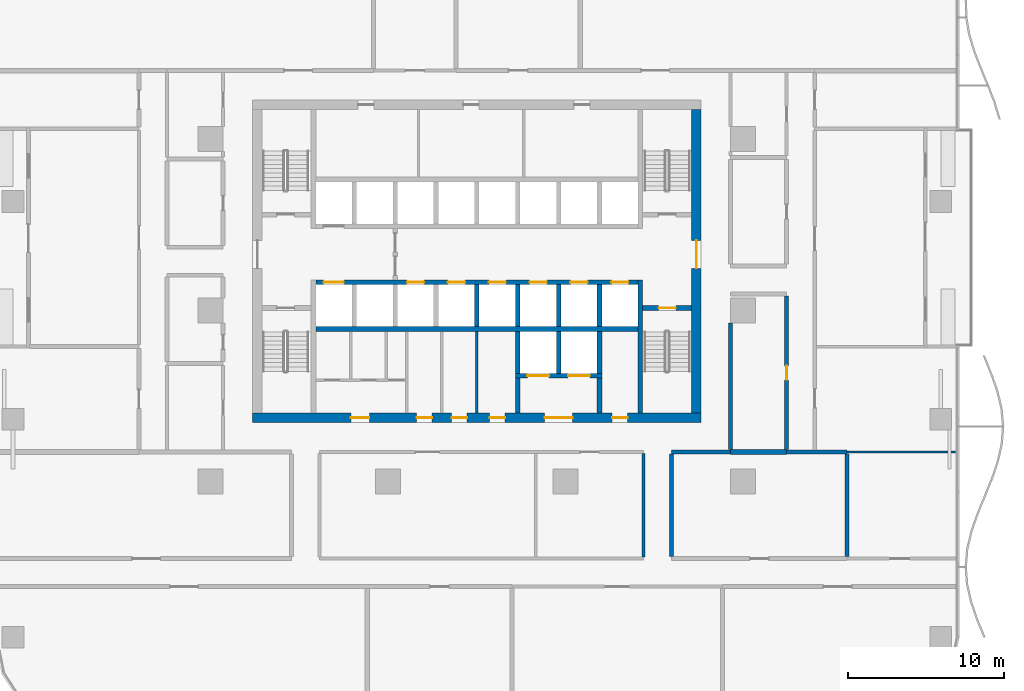
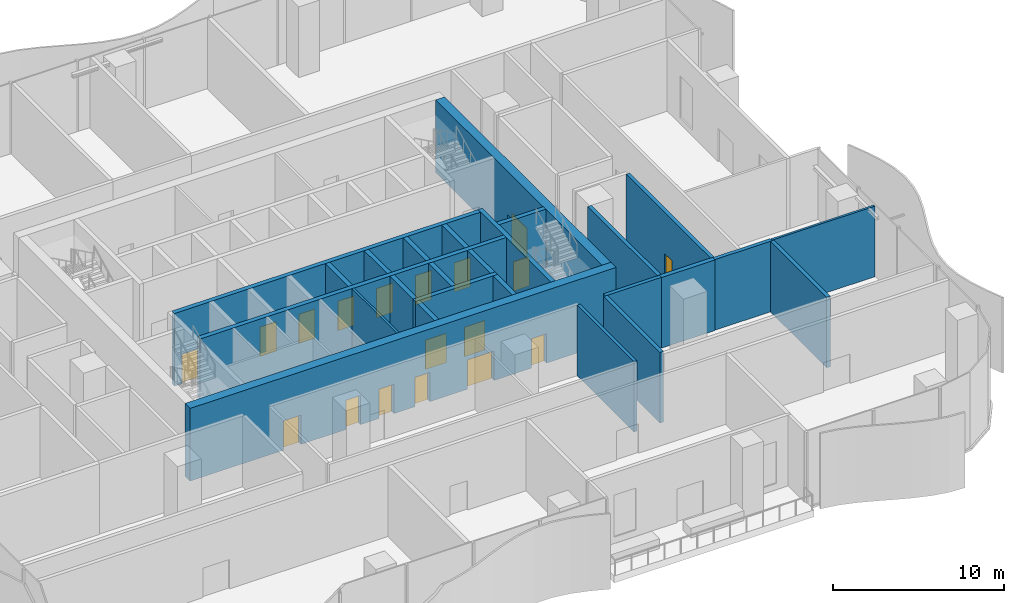
# One storey, part 9 of 20: 26 walls, 18 doors, 18 openings.
"""IFC4 building model written with IfcOpenShell, lengths in metres."""

from ifc_helpers import new_model, si_unit, direction, frame, frame_2d, origin, place, context, subcontext, project, spatial, rectangle, extrude, material, layer, layer_set, type_object, element, fill, save


model = new_model("IFC4")

# Units and contexts
model_context = context("Model", 3, precision=1e-05, world=origin(), true_north=direction((0.0, 1.0)))
body_context = subcontext(model_context, "Body", "Model", "MODEL_VIEW")
ifc_project = project(units=[si_unit("LENGTHUNIT", "METRE"), si_unit("AREAUNIT", "SQUARE_METRE"), si_unit("VOLUMEUNIT", "CUBIC_METRE"), si_unit("PLANEANGLEUNIT", "RADIAN"), si_unit("MASSUNIT", "GRAM", prefix="KILO")], contexts=[model_context])

# Site, building, storey
site_placement = place(None, origin())
site = spatial("IfcSite", under=ifc_project, at=site_placement, CompositionType="ELEMENT")
building_placement = place(site_placement, origin())
building = spatial("IfcBuilding", under=site, at=building_placement, Name="Mopane Tessera Tower", CompositionType="ELEMENT")
storey_placement = place(building_placement, frame((0.0, 0.0, 25.5)))
storey = spatial("IfcBuildingStorey", under=building, at=storey_placement, Name="L04", CompositionType="ELEMENT", Elevation=25.5)

# Wall
ifc_material_1 = material(Name="Fire-rated gypsum board partition")
ifc_layer_1 = layer(ifc_material_1, 0.14990234375)
ifc_layer_set_1 = layer_set([ifc_layer_1], Name="Fire-rated gypsum board partition")
wall_type_1 = type_object("IfcWallType", Name="Core room partition 150 mm", PredefinedType="PARTITIONING", material=ifc_layer_set_1)
wall_1_placement = place(storey_placement, frame((0.0, -6.60009765625, 0.0), z_axis=(0.0, 0.0, 1.0), x_axis=(0.0, 1.0, 0.0)))
element("IfcWall", 1, at=wall_1_placement, inside=storey, type_object=wall_type_1, Name="L04 Room partition", PredefinedType="PARTITIONING", context=body_context, shape_type="SweptSolid", body=[
    extrude(rectangle(XDim=5.25, YDim=0.14990234375, at=frame_2d((2.625, 0.0))), origin(), (0.0, 0.0, 1.0), 5.199951171875),
])

# Wall, openings, doors
ifc_material_2 = material(Name="Concrete C70/85", Category="concrete")
ifc_layer_2 = layer(ifc_material_2, 0.60009765625)
ifc_layer_set_2 = layer_set([ifc_layer_2], Name="Concrete C70/85")
wall_type_2 = type_object("IfcWallType", Name="Core shear wall 600 mm", PredefinedType="SHEAR", material=ifc_layer_set_2)
wall_2_placement = place(storey_placement, frame((-14.39990234375, -6.89990234375, 0.0), z_axis=(0.0, 0.0, 1.0), x_axis=(1.0, 0.0, 0.0)))
wall_2 = element("IfcWall", 2, at=wall_2_placement, inside=storey, type_object=wall_type_2, Name="L04 Core wall south", PredefinedType="SHEAR", context=body_context, shape_type="SweptSolid", body=[
    extrude(rectangle(XDim=28.7998046875, YDim=0.60009765625, at=frame_2d((14.39990234375, 0.0))), origin(), (0.0, 0.0, 1.0), 5.199951171875),
])
opening_1_placement = place(wall_2_placement, frame((6.300048828125, 0.0, 0.0)))
opening_1 = element("IfcOpeningElement", 3, at=opening_1_placement, cuts=wall_2, Name="Opening WD3", PredefinedType="OPENING", context=body_context, shape_type="SweptSolid", body=[
    extrude(rectangle(XDim=1.199951171875, YDim=2.10009765625, at=frame_2d((0.60009765625, 1.050048828125))), frame((0.0, 0.31201171875, 0.0), z_axis=(0.0, -1.0, 0.0), x_axis=(1.0, 0.0, 0.0)), (0.0, 0.0, 1.0), 0.6240234375),
])
opening_2_placement = place(wall_2_placement, frame((10.52490234375, 0.0, 0.0)))
opening_2 = element("IfcOpeningElement", 4, at=opening_2_placement, cuts=wall_2, Name="Opening RD1", PredefinedType="OPENING", context=body_context, shape_type="SweptSolid", body=[
    extrude(rectangle(XDim=1.0, YDim=2.10009765625, at=frame_2d((0.5, 1.050048828125))), frame((0.0, 0.31201171875, 0.0), z_axis=(0.0, -1.0, 0.0), x_axis=(1.0, 0.0, 0.0)), (0.0, 0.0, 1.0), 0.6240234375),
])
opening_3_placement = place(wall_2_placement, frame((12.77490234375, 0.0, 0.0)))
opening_3 = element("IfcOpeningElement", 5, at=opening_3_placement, cuts=wall_2, Name="Opening RD1", PredefinedType="OPENING", context=body_context, shape_type="SweptSolid", body=[
    extrude(rectangle(XDim=1.0, YDim=2.10009765625, at=frame_2d((0.5, 1.050048828125))), frame((0.0, 0.31201171875, 0.0), z_axis=(0.0, -1.0, 0.0), x_axis=(1.0, 0.0, 0.0)), (0.0, 0.0, 1.0), 0.6240234375),
])
opening_4_placement = place(wall_2_placement, frame((15.21240234375, 0.0, 0.0)))
opening_4 = element("IfcOpeningElement", 6, at=opening_4_placement, cuts=wall_2, Name="Opening RD1", PredefinedType="OPENING", context=body_context, shape_type="SweptSolid", body=[
    extrude(rectangle(XDim=1.0, YDim=2.10009765625, at=frame_2d((0.5, 1.050048828125))), frame((0.0, 0.31201171875, 0.0), z_axis=(0.0, -1.0, 0.0), x_axis=(1.0, 0.0, 0.0)), (0.0, 0.0, 1.0), 0.6240234375),
])
opening_5_placement = place(wall_2_placement, frame((18.75, 0.0, 0.0)))
opening_5 = element("IfcOpeningElement", 7, at=opening_5_placement, cuts=wall_2, Name="Opening SD2", PredefinedType="OPENING", context=body_context, shape_type="SweptSolid", body=[
    extrude(rectangle(XDim=1.800048828125, YDim=2.10009765625, at=frame_2d((0.89990234375, 1.050048828125))), frame((0.0, 0.31201171875, 0.0), z_axis=(0.0, -1.0, 0.0), x_axis=(1.0, 0.0, 0.0)), (0.0, 0.0, 1.0), 0.6240234375),
])
opening_6_placement = place(wall_2_placement, frame((23.08740234375, 0.0, 0.0)))
opening_6 = element("IfcOpeningElement", 8, at=opening_6_placement, cuts=wall_2, Name="Opening RD1", PredefinedType="OPENING", context=body_context, shape_type="SweptSolid", body=[
    extrude(rectangle(XDim=1.0, YDim=2.10009765625, at=frame_2d((0.5, 1.050048828125))), frame((0.0, 0.31201171875, 0.0), z_axis=(0.0, -1.0, 0.0), x_axis=(1.0, 0.0, 0.0)), (0.0, 0.0, 1.0), 0.6240234375),
])
ifc_material_3 = material(Name="Steel fire door", Category="steel")
door_type_1 = type_object("IfcDoorType", Name="Core entrance double door 1800 x 2100", OperationType="DOUBLE_DOOR_SINGLE_SWING", PredefinedType="DOOR", material=ifc_material_3)
door_1_placement = place(opening_5_placement, origin())
door_1 = element("IfcDoor", 9, at=door_1_placement, inside=storey, type_object=door_type_1, Name="L04 Service lobby door", OperationType="DOUBLE_DOOR_SINGLE_SWING", OverallHeight=2.10009765625, OverallWidth=1.800048828125, PredefinedType="DOOR", context=body_context, shape_type="SweptSolid", body=[
    extrude(rectangle(XDim=1.800048828125, YDim=2.10009765625, at=frame_2d((0.89990234375, 1.050048828125))), frame((0.0, 0.02490234375, 0.0), z_axis=(0.0, -1.0, 0.0), x_axis=(1.0, 0.0, 0.0)), (0.0, 0.0, 1.0), 0.050048828125),
])
fill(opening_5, door_1)
ifc_material_4 = material(Name="Timber door", Category="wood")
door_type_2 = type_object("IfcDoorType", Name="Core room door 1000 x 2100", OperationType="SINGLE_SWING_LEFT", PredefinedType="DOOR", material=ifc_material_4)
door_2_placement = place(opening_2_placement, origin())
door_2 = element("IfcDoor", 10, at=door_2_placement, inside=storey, type_object=door_type_2, Name="L04 Room door", OperationType="SINGLE_SWING_LEFT", OverallHeight=2.10009765625, OverallWidth=1.0, PredefinedType="DOOR", context=body_context, shape_type="SweptSolid", body=[
    extrude(rectangle(XDim=1.0, YDim=2.10009765625, at=frame_2d((0.5, 1.050048828125))), frame((0.0, 0.02490234375, 0.0), z_axis=(0.0, -1.0, 0.0), x_axis=(1.0, 0.0, 0.0)), (0.0, 0.0, 1.0), 0.050048828125),
])
fill(opening_2, door_2)
door_3_placement = place(opening_3_placement, origin())
door_3 = element("IfcDoor", 11, at=door_3_placement, inside=storey, type_object=door_type_2, Name="L04 Room door", OperationType="SINGLE_SWING_LEFT", OverallHeight=2.10009765625, OverallWidth=1.0, PredefinedType="DOOR", context=body_context, shape_type="SweptSolid", body=[
    extrude(rectangle(XDim=1.0, YDim=2.10009765625, at=frame_2d((0.5, 1.050048828125))), frame((0.0, 0.02490234375, 0.0), z_axis=(0.0, -1.0, 0.0), x_axis=(1.0, 0.0, 0.0)), (0.0, 0.0, 1.0), 0.050048828125),
])
fill(opening_3, door_3)
door_4_placement = place(opening_4_placement, origin())
door_4 = element("IfcDoor", 12, at=door_4_placement, inside=storey, type_object=door_type_2, Name="L04 Room door", OperationType="SINGLE_SWING_LEFT", OverallHeight=2.10009765625, OverallWidth=1.0, PredefinedType="DOOR", context=body_context, shape_type="SweptSolid", body=[
    extrude(rectangle(XDim=1.0, YDim=2.10009765625, at=frame_2d((0.5, 1.050048828125))), frame((0.0, 0.02490234375, 0.0), z_axis=(0.0, -1.0, 0.0), x_axis=(1.0, 0.0, 0.0)), (0.0, 0.0, 1.0), 0.050048828125),
])
fill(opening_4, door_4)
door_5_placement = place(opening_6_placement, origin())
door_5 = element("IfcDoor", 13, at=door_5_placement, inside=storey, type_object=door_type_2, Name="L04 Room door", OperationType="SINGLE_SWING_LEFT", OverallHeight=2.10009765625, OverallWidth=1.0, PredefinedType="DOOR", context=body_context, shape_type="SweptSolid", body=[
    extrude(rectangle(XDim=1.0, YDim=2.10009765625, at=frame_2d((0.5, 1.050048828125))), frame((0.0, 0.02490234375, 0.0), z_axis=(0.0, -1.0, 0.0), x_axis=(1.0, 0.0, 0.0)), (0.0, 0.0, 1.0), 0.050048828125),
])
fill(opening_6, door_5)
ifc_material_5 = material(Name="Timber door", Category="wood")
door_type_3 = type_object("IfcDoorType", Name="WC lobby door 1200 x 2100", OperationType="SINGLE_SWING_LEFT", PredefinedType="DOOR", material=ifc_material_5)
door_6_placement = place(opening_1_placement, origin())
door_6 = element("IfcDoor", 14, at=door_6_placement, inside=storey, type_object=door_type_3, Name="L04 WC lobby door", OperationType="SINGLE_SWING_LEFT", OverallHeight=2.10009765625, OverallWidth=1.199951171875, PredefinedType="DOOR", context=body_context, shape_type="SweptSolid", body=[
    extrude(rectangle(XDim=1.199951171875, YDim=2.10009765625, at=frame_2d((0.60009765625, 1.050048828125))), frame((0.0, 0.02490234375, 0.0), z_axis=(0.0, -1.0, 0.0), x_axis=(1.0, 0.0, 0.0)), (0.0, 0.0, 1.0), 0.050048828125),
])
fill(opening_1, door_6)

# Wall, opening, door
wall_3_placement = place(storey_placement, frame((14.10009765625, -6.60009765625, 0.0), z_axis=(0.0, 0.0, 1.0), x_axis=(0.0, 1.0, 0.0)))
wall_3 = element("IfcWall", 15, at=wall_3_placement, inside=storey, type_object=wall_type_2, Name="L04 Core wall east", PredefinedType="SHEAR", context=body_context, shape_type="SweptSolid", body=[
    extrude(rectangle(XDim=19.5, YDim=0.60009765625, at=frame_2d((9.75, 0.0))), origin(), (0.0, 0.0, 1.0), 5.199951171875),
])
opening_7_placement = place(wall_3_placement, frame((9.300048828125, 0.0, 0.0)))
opening_7 = element("IfcOpeningElement", 16, at=opening_7_placement, cuts=wall_3, Name="Opening SD2", PredefinedType="OPENING", context=body_context, shape_type="SweptSolid", body=[
    extrude(rectangle(XDim=1.800048828125, YDim=2.10009765625, at=frame_2d((0.89990234375, 1.050048828125))), frame((0.0, 0.31201171875, 0.0), z_axis=(0.0, -1.0, 0.0), x_axis=(1.0, 0.0, 0.0)), (0.0, 0.0, 1.0), 0.6240234375),
])
door_7_placement = place(opening_7_placement, origin())
door_7 = element("IfcDoor", 17, at=door_7_placement, inside=storey, type_object=door_type_1, Name="L04 Core entrance door east", OperationType="DOUBLE_DOOR_SINGLE_SWING", OverallHeight=2.10009765625, OverallWidth=1.800048828125, PredefinedType="DOOR", context=body_context, shape_type="SweptSolid", body=[
    extrude(rectangle(XDim=1.800048828125, YDim=2.10009765625, at=frame_2d((0.89990234375, 1.050048828125))), frame((0.0, 0.02490234375, 0.0), z_axis=(0.0, -1.0, 0.0), x_axis=(1.0, 0.0, 0.0)), (0.0, 0.0, 1.0), 0.050048828125),
])
fill(opening_7, door_7)

# Walls
ifc_material_6 = material(Name="Concrete C60/75", Category="concrete")
ifc_layer_3 = layer(ifc_material_6, 0.300048828125)
ifc_layer_set_3 = layer_set([ifc_layer_3], Name="Concrete C60/75")
wall_type_3 = type_object("IfcWallType", Name="Core spine wall 300 mm", PredefinedType="SHEAR", material=ifc_layer_set_3)
wall_4_placement = place(storey_placement, frame((10.5, -6.60009765625, 0.0), z_axis=(0.0, 0.0, 1.0), x_axis=(0.0, 1.0, 0.0)))
element("IfcWall", 18, at=wall_4_placement, inside=storey, type_object=wall_type_3, Name="L04 Core spine wall", PredefinedType="SHEAR", context=body_context, shape_type="SweptSolid", body=[
    extrude(rectangle(XDim=8.550048828125, YDim=0.300048828125, at=frame_2d((4.27490234375, 0.0))), origin(), (0.0, 0.0, 1.0), 5.199951171875),
])
ifc_material_7 = material(Name="Gypsum board on steel studs, two layers each face, mineral wool infill", Category="steel")
ifc_layer_4 = layer(ifc_material_7, 0.199951171875)
ifc_layer_set_4 = layer_set([ifc_layer_4], Name="Gypsum board on steel studs, two layers each face, mineral wool infill")
wall_type_4 = type_object("IfcWallType", Name="Gypsum board corridor wall 200, rated EI 60", PredefinedType="PARTITIONING", material=ifc_layer_set_4)
wall_5_placement = place(storey_placement, frame((10.7099609375, -15.85009765625, 0.0), z_axis=(0.0, 0.0, 1.0), x_axis=(0.0, 1.0, 0.0)))
element("IfcWall", 19, at=wall_5_placement, inside=storey, type_object=wall_type_4, Name="Partition L04:052", PredefinedType="PARTITIONING", context=body_context, shape_type="SweptSolid", body=[
    extrude(rectangle(XDim=6.650146484375, YDim=0.199951171875, at=frame_2d((3.3251953125, 0.0))), origin(), (0.0, 0.0, 1.0), 5.050048828125),
])
ifc_material_8 = material(Name="Gypsum board on steel studs, mineral wool infill", Category="steel")
ifc_layer_5 = layer(ifc_material_8, 0.14990234375)
ifc_layer_set_5 = layer_set([ifc_layer_5], Name="Gypsum board on steel studs, mineral wool infill")
wall_type_5 = type_object("IfcWallType", Name="Gypsum board partition 150, rated EI 60", PredefinedType="PARTITIONING", material=ifc_layer_set_5)
wall_6_placement = place(storey_placement, frame((23.784912109375, -9.10009765625, 0.0), z_axis=(0.0, 0.0, 1.0), x_axis=(1.0, 0.0, 0.0)))
element("IfcWall", 20, at=wall_6_placement, inside=storey, type_object=wall_type_5, Name="Partition L04:007", PredefinedType="PARTITIONING", context=body_context, shape_type="SweptSolid", body=[
    extrude(rectangle(XDim=6.965087890625, YDim=0.14990234375, at=frame_2d((3.482421875, 0.0))), origin(), (0.0, 0.0, 1.0), 5.050048828125),
])

# Wall, opening, door
ifc_material_9 = material(Name="Concrete C50/60", Category="concrete")
ifc_layer_6 = layer(ifc_material_9, 0.300048828125)
ifc_layer_set_6 = layer_set([ifc_layer_6], Name="Concrete C50/60")
wall_type_6 = type_object("IfcWallType", Name="Lift and stair shaft wall 300 mm", PredefinedType="SOLIDWALL", material=ifc_layer_set_6)
wall_7_placement = place(storey_placement, frame((10.64990234375, 0.14990234375, 0.0), z_axis=(0.0, 0.0, 1.0), x_axis=(1.0, 0.0, 0.0)))
wall_7 = element("IfcWall", 21, at=wall_7_placement, inside=storey, type_object=wall_type_6, Name="L04 Stair enclosure wall", PredefinedType="SOLIDWALL", context=body_context, shape_type="SweptSolid", body=[
    extrude(rectangle(XDim=3.150146484375, YDim=0.300048828125, at=frame_2d((1.5751953125, 0.0))), origin(), (0.0, 0.0, 1.0), 5.199951171875),
])
opening_8_placement = place(wall_7_placement, frame((1.02490234375, 0.0, 0.0)))
opening_8 = element("IfcOpeningElement", 22, at=opening_8_placement, cuts=wall_7, Name="Opening SD1", PredefinedType="OPENING", context=body_context, shape_type="SweptSolid", body=[
    extrude(rectangle(XDim=1.10009765625, YDim=2.10009765625, at=frame_2d((0.550048828125, 1.050048828125))), frame((0.0, 0.162109375, 0.0), z_axis=(0.0, -1.0, 0.0), x_axis=(1.0, 0.0, 0.0)), (0.0, 0.0, 1.0), 0.323974609375),
])
ifc_material_10 = material(Name="Steel fire door", Category="steel")
door_type_4 = type_object("IfcDoorType", Name="Stair fire door 1100 x 2100", OperationType="SINGLE_SWING_LEFT", PredefinedType="DOOR", material=ifc_material_10)
door_8_placement = place(opening_8_placement, origin())
door_8 = element("IfcDoor", 23, at=door_8_placement, inside=storey, type_object=door_type_4, Name="L04 Stair door ST3", OperationType="SINGLE_SWING_RIGHT", OverallHeight=2.10009765625, OverallWidth=1.10009765625, PredefinedType="DOOR", context=body_context, shape_type="SweptSolid", body=[
    extrude(rectangle(XDim=1.10009765625, YDim=2.10009765625, at=frame_2d((0.550048828125, 1.050048828125))), frame((0.0, 0.02490234375, 0.0), z_axis=(0.0, -1.0, 0.0), x_axis=(1.0, 0.0, 0.0)), (0.0, 0.0, 1.0), 0.050048828125),
])
fill(opening_8, door_8)

# Wall
wall_8_placement = place(storey_placement, frame((-10.35009765625, -1.199951171875, 0.0), z_axis=(0.0, 0.0, 1.0), x_axis=(1.0, 0.0, 0.0)))
element("IfcWall", 24, at=wall_8_placement, inside=storey, type_object=wall_type_6, Name="L04 Lift shaft rear wall", PredefinedType="SOLIDWALL", context=body_context, shape_type="SweptSolid", body=[
    extrude(rectangle(XDim=20.7001953125, YDim=0.300048828125, at=frame_2d((10.35009765625, 0.0))), origin(), (0.0, 0.0, 1.0), 5.199951171875),
])

# Wall, openings, doors
wall_9_placement = place(storey_placement, frame((-10.35009765625, 1.800048828125, 0.0), z_axis=(0.0, 0.0, 1.0), x_axis=(1.0, 0.0, 0.0)))
wall_9 = element("IfcWall", 25, at=wall_9_placement, inside=storey, type_object=wall_type_6, Name="L04 Lift shaft front wall", PredefinedType="SOLIDWALL", context=body_context, shape_type="SweptSolid", body=[
    extrude(rectangle(XDim=20.7001953125, YDim=0.300048828125, at=frame_2d((10.35009765625, 0.0))), origin(), (0.0, 0.0, 1.0), 5.199951171875),
])
opening_9_placement = place(wall_9_placement, frame((0.512451171875, 0.0, 0.0)))
opening_9 = element("IfcOpeningElement", 26, at=opening_9_placement, cuts=wall_9, Name="Opening LD2", PredefinedType="OPENING", context=body_context, shape_type="SweptSolid", body=[
    extrude(rectangle(XDim=1.300048828125, YDim=2.10009765625, at=frame_2d((0.64990234375, 1.050048828125))), frame((0.0, 0.162109375, 0.0), z_axis=(0.0, -1.0, 0.0), x_axis=(1.0, 0.0, 0.0)), (0.0, 0.0, 1.0), 0.323974609375),
])
opening_10_placement = place(wall_9_placement, frame((5.862548828125, 0.0, 0.0)))
opening_10 = element("IfcOpeningElement", 27, at=opening_10_placement, cuts=wall_9, Name="Opening LD", PredefinedType="OPENING", context=body_context, shape_type="SweptSolid", body=[
    extrude(rectangle(XDim=1.10009765625, YDim=2.10009765625, at=frame_2d((0.550048828125, 1.050048828125))), frame((0.0, 0.162109375, 0.0), z_axis=(0.0, -1.0, 0.0), x_axis=(1.0, 0.0, 0.0)), (0.0, 0.0, 1.0), 0.323974609375),
])
opening_11_placement = place(wall_9_placement, frame((8.487548828125, 0.0, 0.0)))
opening_11 = element("IfcOpeningElement", 28, at=opening_11_placement, cuts=wall_9, Name="Opening LD", PredefinedType="OPENING", context=body_context, shape_type="SweptSolid", body=[
    extrude(rectangle(XDim=1.10009765625, YDim=2.10009765625, at=frame_2d((0.550048828125, 1.050048828125))), frame((0.0, 0.162109375, 0.0), z_axis=(0.0, -1.0, 0.0), x_axis=(1.0, 0.0, 0.0)), (0.0, 0.0, 1.0), 0.323974609375),
])
opening_12_placement = place(wall_9_placement, frame((11.112548828125, 0.0, 0.0)))
opening_12 = element("IfcOpeningElement", 29, at=opening_12_placement, cuts=wall_9, Name="Opening LD", PredefinedType="OPENING", context=body_context, shape_type="SweptSolid", body=[
    extrude(rectangle(XDim=1.10009765625, YDim=2.10009765625, at=frame_2d((0.550048828125, 1.050048828125))), frame((0.0, 0.162109375, 0.0), z_axis=(0.0, -1.0, 0.0), x_axis=(1.0, 0.0, 0.0)), (0.0, 0.0, 1.0), 0.323974609375),
])
opening_13_placement = place(wall_9_placement, frame((13.737548828125, 0.0, 0.0)))
opening_13 = element("IfcOpeningElement", 30, at=opening_13_placement, cuts=wall_9, Name="Opening LD", PredefinedType="OPENING", context=body_context, shape_type="SweptSolid", body=[
    extrude(rectangle(XDim=1.10009765625, YDim=2.10009765625, at=frame_2d((0.550048828125, 1.050048828125))), frame((0.0, 0.162109375, 0.0), z_axis=(0.0, -1.0, 0.0), x_axis=(1.0, 0.0, 0.0)), (0.0, 0.0, 1.0), 0.323974609375),
])
opening_14_placement = place(wall_9_placement, frame((16.362548828125, 0.0, 0.0)))
opening_14 = element("IfcOpeningElement", 31, at=opening_14_placement, cuts=wall_9, Name="Opening LD", PredefinedType="OPENING", context=body_context, shape_type="SweptSolid", body=[
    extrude(rectangle(XDim=1.10009765625, YDim=2.10009765625, at=frame_2d((0.550048828125, 1.050048828125))), frame((0.0, 0.162109375, 0.0), z_axis=(0.0, -1.0, 0.0), x_axis=(1.0, 0.0, 0.0)), (0.0, 0.0, 1.0), 0.323974609375),
])
opening_15_placement = place(wall_9_placement, frame((18.987548828125, 0.0, 0.0)))
opening_15 = element("IfcOpeningElement", 32, at=opening_15_placement, cuts=wall_9, Name="Opening LD", PredefinedType="OPENING", context=body_context, shape_type="SweptSolid", body=[
    extrude(rectangle(XDim=1.10009765625, YDim=2.10009765625, at=frame_2d((0.550048828125, 1.050048828125))), frame((0.0, 0.162109375, 0.0), z_axis=(0.0, -1.0, 0.0), x_axis=(1.0, 0.0, 0.0)), (0.0, 0.0, 1.0), 0.323974609375),
])
ifc_material_11 = material(Name="Stainless steel sliding door", Category="steel")
door_type_5 = type_object("IfcDoorType", Name="Fire-fighting lift landing door 1300 x 2100", OperationType="DOUBLE_DOOR_SLIDING", PredefinedType="DOOR", material=ifc_material_11)
door_9_placement = place(opening_9_placement, origin())
door_9 = element("IfcDoor", 33, at=door_9_placement, inside=storey, type_object=door_type_5, Name="L04 Lift landing door FF1", OperationType="DOUBLE_DOOR_SLIDING", OverallHeight=2.10009765625, OverallWidth=1.300048828125, PredefinedType="DOOR", context=body_context, shape_type="SweptSolid", body=[
    extrude(rectangle(XDim=1.300048828125, YDim=2.10009765625, at=frame_2d((0.64990234375, 1.050048828125))), frame((0.0, 0.02490234375, 0.0), z_axis=(0.0, -1.0, 0.0), x_axis=(1.0, 0.0, 0.0)), (0.0, 0.0, 1.0), 0.050048828125),
])
fill(opening_9, door_9)
ifc_material_12 = material(Name="Stainless steel sliding door", Category="steel")
door_type_6 = type_object("IfcDoorType", Name="Lift landing door 1100 x 2100", OperationType="DOUBLE_DOOR_SLIDING", PredefinedType="DOOR", material=ifc_material_12)
door_10_placement = place(opening_10_placement, origin())
door_10 = element("IfcDoor", 34, at=door_10_placement, inside=storey, type_object=door_type_6, Name="L04 Lift landing door LR1", OperationType="DOUBLE_DOOR_SLIDING", OverallHeight=2.10009765625, OverallWidth=1.10009765625, PredefinedType="DOOR", context=body_context, shape_type="SweptSolid", body=[
    extrude(rectangle(XDim=1.10009765625, YDim=2.10009765625, at=frame_2d((0.550048828125, 1.050048828125))), frame((0.0, 0.02490234375, 0.0), z_axis=(0.0, -1.0, 0.0), x_axis=(1.0, 0.0, 0.0)), (0.0, 0.0, 1.0), 0.050048828125),
])
fill(opening_10, door_10)
door_11_placement = place(opening_11_placement, origin())
door_11 = element("IfcDoor", 35, at=door_11_placement, inside=storey, type_object=door_type_6, Name="L04 Lift landing door LR2", OperationType="DOUBLE_DOOR_SLIDING", OverallHeight=2.10009765625, OverallWidth=1.10009765625, PredefinedType="DOOR", context=body_context, shape_type="SweptSolid", body=[
    extrude(rectangle(XDim=1.10009765625, YDim=2.10009765625, at=frame_2d((0.550048828125, 1.050048828125))), frame((0.0, 0.02490234375, 0.0), z_axis=(0.0, -1.0, 0.0), x_axis=(1.0, 0.0, 0.0)), (0.0, 0.0, 1.0), 0.050048828125),
])
fill(opening_11, door_11)
door_12_placement = place(opening_12_placement, origin())
door_12 = element("IfcDoor", 36, at=door_12_placement, inside=storey, type_object=door_type_6, Name="L04 Lift landing door LR3", OperationType="DOUBLE_DOOR_SLIDING", OverallHeight=2.10009765625, OverallWidth=1.10009765625, PredefinedType="DOOR", context=body_context, shape_type="SweptSolid", body=[
    extrude(rectangle(XDim=1.10009765625, YDim=2.10009765625, at=frame_2d((0.550048828125, 1.050048828125))), frame((0.0, 0.02490234375, 0.0), z_axis=(0.0, -1.0, 0.0), x_axis=(1.0, 0.0, 0.0)), (0.0, 0.0, 1.0), 0.050048828125),
])
fill(opening_12, door_12)
door_13_placement = place(opening_13_placement, origin())
door_13 = element("IfcDoor", 37, at=door_13_placement, inside=storey, type_object=door_type_6, Name="L04 Lift landing door LR4", OperationType="DOUBLE_DOOR_SLIDING", OverallHeight=2.10009765625, OverallWidth=1.10009765625, PredefinedType="DOOR", context=body_context, shape_type="SweptSolid", body=[
    extrude(rectangle(XDim=1.10009765625, YDim=2.10009765625, at=frame_2d((0.550048828125, 1.050048828125))), frame((0.0, 0.02490234375, 0.0), z_axis=(0.0, -1.0, 0.0), x_axis=(1.0, 0.0, 0.0)), (0.0, 0.0, 1.0), 0.050048828125),
])
fill(opening_13, door_13)
door_14_placement = place(opening_14_placement, origin())
door_14 = element("IfcDoor", 38, at=door_14_placement, inside=storey, type_object=door_type_6, Name="L04 Lift landing door LR5", OperationType="DOUBLE_DOOR_SLIDING", OverallHeight=2.10009765625, OverallWidth=1.10009765625, PredefinedType="DOOR", context=body_context, shape_type="SweptSolid", body=[
    extrude(rectangle(XDim=1.10009765625, YDim=2.10009765625, at=frame_2d((0.550048828125, 1.050048828125))), frame((0.0, 0.02490234375, 0.0), z_axis=(0.0, -1.0, 0.0), x_axis=(1.0, 0.0, 0.0)), (0.0, 0.0, 1.0), 0.050048828125),
])
fill(opening_14, door_14)
door_15_placement = place(opening_15_placement, origin())
door_15 = element("IfcDoor", 39, at=door_15_placement, inside=storey, type_object=door_type_6, Name="L04 Lift landing door LR6", OperationType="DOUBLE_DOOR_SLIDING", OverallHeight=2.10009765625, OverallWidth=1.10009765625, PredefinedType="DOOR", context=body_context, shape_type="SweptSolid", body=[
    extrude(rectangle(XDim=1.10009765625, YDim=2.10009765625, at=frame_2d((0.550048828125, 1.050048828125))), frame((0.0, 0.02490234375, 0.0), z_axis=(0.0, -1.0, 0.0), x_axis=(1.0, 0.0, 0.0)), (0.0, 0.0, 1.0), 0.050048828125),
])
fill(opening_15, door_15)

# Walls
for number, where, z_axis, x_axis, name in (
    (40, (0.0, -1.050048828125, 0.0), (0.0, 0.0, 1.0), (0.0, 1.0, 0.0), "L04 Lift shaft wall"),
    (41, (2.625, -1.050048828125, 0.0), (0.0, 0.0, 1.0), (0.0, 1.0, 0.0), "L04 Lift shaft wall"),
    (42, (5.25, -1.050048828125, 0.0), (0.0, 0.0, 1.0), (0.0, 1.0, 0.0), "L04 Lift shaft wall"),
    (43, (7.875, -1.050048828125, 0.0), (0.0, 0.0, 1.0), (0.0, 1.0, 0.0), "L04 Lift shaft wall"),
):
    element("IfcWall", number, at=place(storey_placement, frame(where, z_axis=z_axis, x_axis=x_axis)), inside=storey, type_object=wall_type_6, Name=name, PredefinedType="SOLIDWALL", context=body_context, shape_type="SweptSolid", body=[
        extrude(rectangle(XDim=2.699951171875, YDim=0.300048828125, at=frame_2d((1.35009765625, 0.0))), origin(), (0.0, 0.0, 1.0), 5.199951171875),
    ])

# Wall, openings, doors
wall_10_placement = place(storey_placement, frame((2.47509765625, -4.199951171875, 0.0), z_axis=(0.0, 0.0, 1.0), x_axis=(1.0, 0.0, 0.0)))
wall_10 = element("IfcWall", 44, at=wall_10_placement, inside=storey, type_object=wall_type_6, Name="L04 Lift shaft front wall", PredefinedType="SOLIDWALL", context=body_context, shape_type="SweptSolid", body=[
    extrude(rectangle(XDim=5.5498046875, YDim=0.300048828125, at=frame_2d((2.77490234375, 0.0))), origin(), (0.0, 0.0, 1.0), 5.199951171875),
])
opening_16_placement = place(wall_10_placement, frame((0.762451171875, 0.0, 0.0)))
opening_16 = element("IfcOpeningElement", 45, at=opening_16_placement, cuts=wall_10, Name="Opening LD3", PredefinedType="OPENING", context=body_context, shape_type="SweptSolid", body=[
    extrude(rectangle(XDim=1.39990234375, YDim=2.10009765625, at=frame_2d((0.699951171875, 1.050048828125))), frame((0.0, 0.162109375, 0.0), z_axis=(0.0, -1.0, 0.0), x_axis=(1.0, 0.0, 0.0)), (0.0, 0.0, 1.0), 0.323974609375),
])
opening_17_placement = place(wall_10_placement, frame((3.387451171875, 0.0, 0.0)))
opening_17 = element("IfcOpeningElement", 46, at=opening_17_placement, cuts=wall_10, Name="Opening LD3", PredefinedType="OPENING", context=body_context, shape_type="SweptSolid", body=[
    extrude(rectangle(XDim=1.39990234375, YDim=2.10009765625, at=frame_2d((0.699951171875, 1.050048828125))), frame((0.0, 0.162109375, 0.0), z_axis=(0.0, -1.0, 0.0), x_axis=(1.0, 0.0, 0.0)), (0.0, 0.0, 1.0), 0.323974609375),
])
ifc_material_13 = material(Name="Stainless steel sliding door", Category="steel")
door_type_7 = type_object("IfcDoorType", Name="Service lift landing door 1400 x 2100", OperationType="DOUBLE_DOOR_SLIDING", PredefinedType="DOOR", material=ifc_material_13)
door_16_placement = place(opening_16_placement, origin())
door_16 = element("IfcDoor", 47, at=door_16_placement, inside=storey, type_object=door_type_7, Name="L04 Lift landing door SV1", OperationType="DOUBLE_DOOR_SLIDING", OverallHeight=2.10009765625, OverallWidth=1.39990234375, PredefinedType="DOOR", context=body_context, shape_type="SweptSolid", body=[
    extrude(rectangle(XDim=1.39990234375, YDim=2.10009765625, at=frame_2d((0.699951171875, 1.050048828125))), frame((0.0, 0.02490234375, 0.0), z_axis=(0.0, -1.0, 0.0), x_axis=(1.0, 0.0, 0.0)), (0.0, 0.0, 1.0), 0.050048828125),
])
fill(opening_16, door_16)
door_17_placement = place(opening_17_placement, origin())
door_17 = element("IfcDoor", 48, at=door_17_placement, inside=storey, type_object=door_type_7, Name="L04 Lift landing door SV2", OperationType="DOUBLE_DOOR_SLIDING", OverallHeight=2.10009765625, OverallWidth=1.39990234375, PredefinedType="DOOR", context=body_context, shape_type="SweptSolid", body=[
    extrude(rectangle(XDim=1.39990234375, YDim=2.10009765625, at=frame_2d((0.699951171875, 1.050048828125))), frame((0.0, 0.02490234375, 0.0), z_axis=(0.0, -1.0, 0.0), x_axis=(1.0, 0.0, 0.0)), (0.0, 0.0, 1.0), 0.050048828125),
])
fill(opening_17, door_17)

# Walls
for number, where, z_axis, x_axis, name in (
    (49, (2.625, -4.050048828125, 0.0), (0.0, 0.0, 1.0), (0.0, 1.0, 0.0), "L04 Lift shaft wall"),
    (50, (5.25, -4.050048828125, 0.0), (0.0, 0.0, 1.0), (0.0, 1.0, 0.0), "L04 Lift shaft wall"),
    (51, (7.875, -4.050048828125, 0.0), (0.0, 0.0, 1.0), (0.0, 1.0, 0.0), "L04 Lift shaft wall"),
):
    element("IfcWall", number, at=place(storey_placement, frame(where, z_axis=z_axis, x_axis=x_axis)), inside=storey, type_object=wall_type_6, Name=name, PredefinedType="SOLIDWALL", context=body_context, shape_type="SweptSolid", body=[
        extrude(rectangle(XDim=2.699951171875, YDim=0.300048828125, at=frame_2d((1.35009765625, 0.0))), origin(), (0.0, 0.0, 1.0), 5.199951171875),
    ])
ifc_material_14 = material(Name="Concrete C50/60", Category="concrete")
ifc_layer_7 = layer(ifc_material_14, 0.300048828125)
ifc_layer_set_7 = layer_set([ifc_layer_7], Name="Concrete C50/60")
wall_type_7 = type_object("IfcWallType", Name="Lobby and refuge room wall 300 mm", PredefinedType="SOLIDWALL", material=ifc_layer_set_7)
for number, where, z_axis, x_axis, name in (
    (52, (2.625, -6.60009765625, 0.0), (0.0, 0.0, 1.0), (0.0, 1.0, 0.0), "L04 Service lobby wall"),
    (53, (7.875, -6.60009765625, 0.0), (0.0, 0.0, 1.0), (0.0, 1.0, 0.0), "L04 Service lobby wall"),
):
    element("IfcWall", number, at=place(storey_placement, frame(where, z_axis=z_axis, x_axis=x_axis)), inside=storey, type_object=wall_type_7, Name=name, PredefinedType="SOLIDWALL", context=body_context, shape_type="SweptSolid", body=[
        extrude(rectangle(XDim=2.25, YDim=0.300048828125, at=frame_2d((1.125, 0.0))), origin(), (0.0, 0.0, 1.0), 5.199951171875),
    ])
ifc_material_15 = material(Name="Plastered concrete blockwork C20/25", Category="masonry")
ifc_layer_8 = layer(ifc_material_15, 0.300048828125)
ifc_layer_set_8 = layer_set([ifc_layer_8], Name="Plastered concrete blockwork C20/25")
wall_type_8 = type_object("IfcWallType", Name="Plastered blockwork separation wall 300, rated EI 120", PredefinedType="PARTITIONING", material=ifc_layer_set_8)
wall_11_placement = place(storey_placement, frame((16.300048828125, -9.10009765625, 0.0), z_axis=(0.0, 0.0, 1.0), x_axis=(1.0, 0.0, 0.0)))
element("IfcWall", 54, at=wall_11_placement, inside=storey, type_object=wall_type_8, Name="Partition L04:013", PredefinedType="PARTITIONING", context=body_context, shape_type="SweptSolid", body=[
    extrude(rectangle(XDim=3.599853515625, YDim=0.300048828125, at=frame_2d((1.7998046875, 0.0))), origin(), (0.0, 0.0, 1.0), 5.050048828125),
])
ifc_material_16 = material(Name="Plastered concrete blockwork C20/25", Category="masonry")
ifc_layer_9 = layer(ifc_material_16, 0.25)
ifc_layer_set_9 = layer_set([ifc_layer_9], Name="Plastered concrete blockwork C20/25")
wall_type_9 = type_object("IfcWallType", Name="Plastered blockwork wall 250, rated EI 120", PredefinedType="PARTITIONING", material=ifc_layer_set_9)
wall_12_placement = place(storey_placement, frame((12.510009765625, -9.10009765625, 0.0), z_axis=(0.0, 0.0, 1.0), x_axis=(1.0, 0.0, 0.0)))
element("IfcWall", 55, at=wall_12_placement, inside=storey, type_object=wall_type_9, Name="Partition L04:010", PredefinedType="PARTITIONING", context=body_context, shape_type="SweptSolid", body=[
    extrude(rectangle(XDim=3.7900390625, YDim=0.25, at=frame_2d((1.89501953125, 0.0))), origin(), (0.0, 0.0, 1.0), 5.050048828125),
])
wall_13_placement = place(storey_placement, frame((19.89990234375, -9.10009765625, 0.0), z_axis=(0.0, 0.0, 1.0), x_axis=(1.0, 0.0, 0.0)))
element("IfcWall", 56, at=wall_13_placement, inside=storey, type_object=wall_type_9, Name="Partition L04:011", PredefinedType="PARTITIONING", context=body_context, shape_type="SweptSolid", body=[
    extrude(rectangle(XDim=3.885009765625, YDim=0.25, at=frame_2d((1.9423828125, 0.0))), origin(), (0.0, 0.0, 1.0), 5.050048828125),
])
wall_14_placement = place(storey_placement, frame((12.510009765625, -15.824951171875, 0.0), z_axis=(0.0, 0.0, 1.0), x_axis=(0.0, 1.0, 0.0)))
element("IfcWall", 57, at=wall_14_placement, inside=storey, type_object=wall_type_9, Name="Partition L04:053", PredefinedType="PARTITIONING", context=body_context, shape_type="SweptSolid", body=[
    extrude(rectangle(XDim=6.599853515625, YDim=0.25, at=frame_2d((3.2998046875, 0.0))), origin(), (0.0, 0.0, 1.0), 5.050048828125),
])
wall_15_placement = place(storey_placement, frame((16.300048828125, -8.949951171875, 0.0), z_axis=(0.0, 0.0, 1.0), x_axis=(0.0, 1.0, 0.0)))
element("IfcWall", 58, at=wall_15_placement, inside=storey, type_object=wall_type_9, Name="Partition L04:057", PredefinedType="PARTITIONING", context=body_context, shape_type="SweptSolid", body=[
    extrude(rectangle(XDim=8.14990234375, YDim=0.25, at=frame_2d((4.074951171875, 0.0))), origin(), (0.0, 0.0, 1.0), 5.050048828125),
])

# Wall, opening, door
wall_16_placement = place(storey_placement, frame((19.89990234375, -8.949951171875, 0.0), z_axis=(0.0, 0.0, 1.0), x_axis=(0.0, 1.0, 0.0)))
wall_16 = element("IfcWall", 59, at=wall_16_placement, inside=storey, type_object=wall_type_9, Name="Partition L04:060", PredefinedType="PARTITIONING", context=body_context, shape_type="SweptSolid", body=[
    extrude(rectangle(XDim=9.875, YDim=0.25, at=frame_2d((4.9375, 0.0))), origin(), (0.0, 0.0, 1.0), 5.050048828125),
])
opening_18_placement = place(wall_16_placement, frame((4.487548828125, 0.0, 0.0)))
opening_18 = element("IfcOpeningElement", 60, at=opening_18_placement, cuts=wall_16, Name="Opening L04-12", PredefinedType="OPENING", context=body_context, shape_type="SweptSolid", body=[
    extrude(rectangle(XDim=0.89990234375, YDim=2.10009765625, at=frame_2d((0.449951171875, 1.050048828125))), frame((0.0, 0.136962890625, 0.0), z_axis=(0.0, -1.0, 0.0), x_axis=(1.0, 0.0, 0.0)), (0.0, 0.0, 1.0), 0.27392578125),
])
ifc_material_17 = material(Name="Timber veneered steel-framed fire door", Category="steel")
door_type_8 = type_object("IfcDoorType", Name="Fire door FD120 900 x 2100", OperationType="SINGLE_SWING_LEFT", PredefinedType="DOOR", material=ifc_material_17)
door_18_placement = place(opening_18_placement, origin())
door_18 = element("IfcDoor", 61, at=door_18_placement, inside=storey, type_object=door_type_8, Name="Door L04-12", ObjectType="D10B", OperationType="SINGLE_SWING_RIGHT", OverallHeight=2.10009765625, OverallWidth=0.89990234375, PredefinedType="DOOR", context=body_context, shape_type="SweptSolid", body=[
    extrude(rectangle(XDim=0.89990234375, YDim=2.10009765625, at=frame_2d((0.449951171875, 1.050048828125))), frame((0.0, 0.02490234375, 0.0), z_axis=(0.0, -1.0, 0.0), x_axis=(1.0, 0.0, 0.0)), (0.0, 0.0, 1.0), 0.050048828125),
])
fill(opening_18, door_18)

# Wall
wall_17_placement = place(storey_placement, frame((23.784912109375, -15.824951171875, 0.0), z_axis=(0.0, 0.0, 1.0), x_axis=(0.0, 1.0, 0.0)))
element("IfcWall", 62, at=wall_17_placement, inside=storey, type_object=wall_type_9, Name="Partition L04:064", PredefinedType="PARTITIONING", context=body_context, shape_type="SweptSolid", body=[
    extrude(rectangle(XDim=6.599853515625, YDim=0.25, at=frame_2d((3.2998046875, 0.0))), origin(), (0.0, 0.0, 1.0), 5.050048828125),
])

save(model, "model.ifc")
